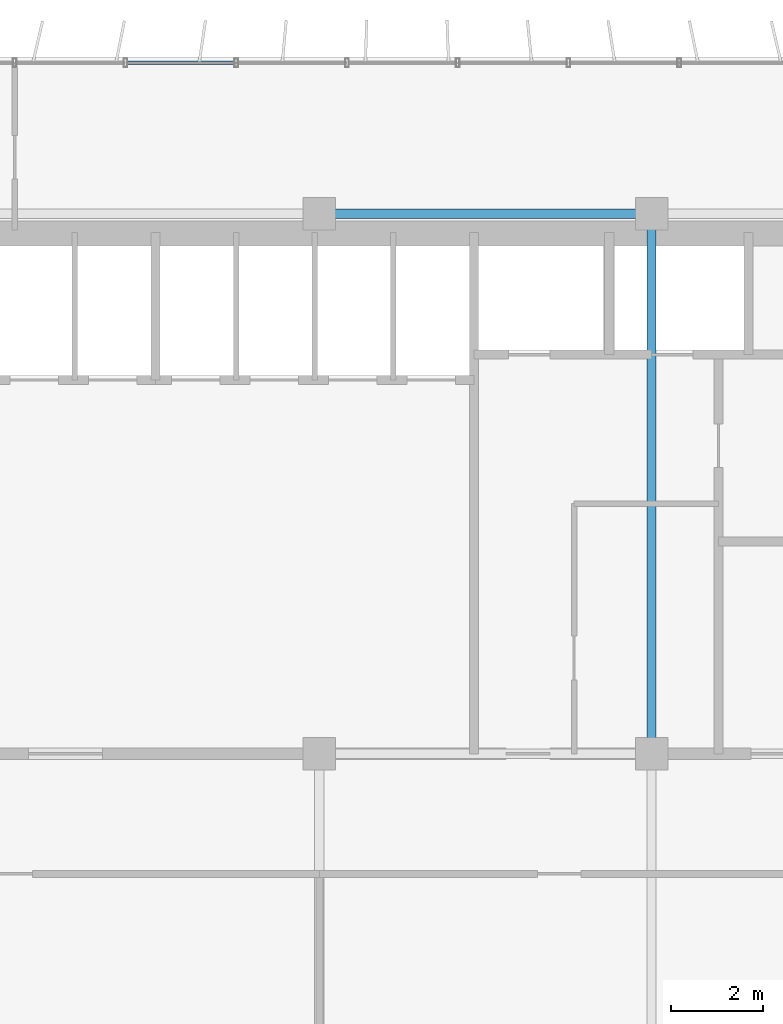
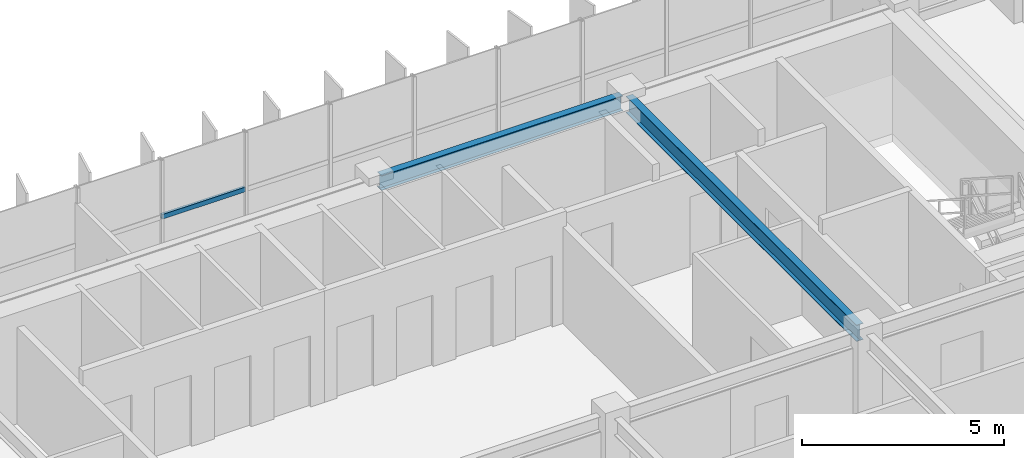
# One storey, part 9 of 19: 2 beams, 1 member, 1 element without a shape of its own.
"""IFC4 building model written with IfcOpenShell, lengths in metres."""

from ifc_helpers import new_model, si_unit, direction, frame, origin, origin_2d, place, context, subcontext, project, spatial, hollow_rectangle, i_section, extrude, source, transform, mapped, material, material_profile, profile_set, type_object, element, aggregate, save


model = new_model("IFC4")

# Units and contexts
model_context = context("Model", 3, precision=1e-05, world=origin(), true_north=direction((0.0, 1.0)))
body_context = subcontext(model_context, "Body", "Model", "MODEL_VIEW")
ifc_project = project(units=[si_unit("LENGTHUNIT", "METRE"), si_unit("AREAUNIT", "SQUARE_METRE"), si_unit("VOLUMEUNIT", "CUBIC_METRE"), si_unit("PLANEANGLEUNIT", "RADIAN"), si_unit("MASSUNIT", "GRAM", prefix="KILO")], contexts=[model_context])

# Site, building, storey
site_placement = place(None, origin())
site = spatial("IfcSite", under=ifc_project, at=site_placement, CompositionType="ELEMENT")
building_placement = place(site_placement, origin())
building = spatial("IfcBuilding", under=site, at=building_placement, Name="Trelvane Seafront Commons", CompositionType="ELEMENT")
storey_placement = place(building_placement, frame((0.0, 0.0, 215.699951171875)))
storey = spatial("IfcBuildingStorey", under=building, at=storey_placement, Name="L56", CompositionType="ELEMENT", Elevation=215.699951171875)

# Beams
ifc_material_1 = material(Name="Steel SM355 (S355)", Category="steel")
ifc_material_profile_1 = material_profile(ifc_material_1, i_section(OverallWidth=0.199951171875, OverallDepth=0.5, WebThickness=0.010009765625, FlangeThickness=0.01611328125, at=origin_2d()), Name="H-500x200x10x16")
ifc_profile_set_1 = profile_set([ifc_material_profile_1], Name="Steel SM355 (S355)")
beam_type_1 = type_object("IfcBeamType", Name="STR-BM-H500", PredefinedType="BEAM", material=ifc_profile_set_1)
shared_shape_1 = source(origin(), body_context, "Body", "SweptSolid", [
    extrude(i_section(OverallWidth=0.199951171875, OverallDepth=0.5, WebThickness=0.010009765625, FlangeThickness=0.01611328125, at=origin_2d()), origin(), (0.0, 0.0, 1.0), 11.39990234375),
])
beam_1_placement = place(storey_placement, frame((51.0, 33.550048828125, 3.110107421875), z_axis=(0.0, 1.0, 0.0), x_axis=(-1.0, 0.0, 0.0)))
element("IfcBeam", 1, at=beam_1_placement, inside=storey, type_object=beam_type_1, Name="L56 Primary Girder G-46", PredefinedType="BEAM", context=body_context, shape_type="MappedRepresentation", body=[
    mapped(shared_shape_1, transform((0.0, 0.0, 0.0), x_axis=(1.0, 0.0, 0.0), y_axis=(0.0, 1.0, 0.0), z_axis=(0.0, 0.0, 1.0), scale=1.0)),
])
ifc_material_profile_2 = material_profile(ifc_material_1, i_section(OverallWidth=0.199951171875, OverallDepth=0.449951171875, WebThickness=0.009033203125, FlangeThickness=0.013916015625, at=origin_2d()), Name="H-450x200x9x14")
ifc_profile_set_2 = profile_set([ifc_material_profile_2], Name="Steel SM355 (S355)")
beam_type_2 = type_object("IfcBeamType", Name="STR-SPD-H450", PredefinedType="SPANDREL", material=ifc_profile_set_2)
shared_shape_2 = source(origin(), body_context, "Body", "SweptSolid", [
    extrude(i_section(OverallWidth=0.199951171875, OverallDepth=0.449951171875, WebThickness=0.009033203125, FlangeThickness=0.013916015625, at=origin_2d()), origin(), (0.0, 0.0, 1.0), 6.900146484375),
])
beam_2_placement = place(storey_placement, frame((43.949951171875, 45.10009765625, 3.135009765625), z_axis=(1.0, 0.0, 0.0), x_axis=(0.0, 1.0, 0.0)))
element("IfcBeam", 2, at=beam_2_placement, inside=storey, type_object=beam_type_2, Name="L56 Primary Girder G-26", PredefinedType="SPANDREL", context=body_context, shape_type="MappedRepresentation", body=[
    mapped(shared_shape_2, transform((0.0, 0.0, 0.0), x_axis=(1.0, 0.0, 0.0), y_axis=(0.0, 1.0, 0.0), z_axis=(0.0, 0.0, 1.0), scale=1.0)),
])

# Curtain wall, member
ifc_material_2 = material(Name="Anodised pale-silver aluminium", Category="aluminium")
curtain_wall_type = type_object("IfcCurtainWallType", Name="ARCH-CW4-SKYLOBBY", PredefinedType="NOTDEFINED", material=ifc_material_2)
curtain_wall_placement = place(storey_placement, origin())
curtain_wall = element("IfcCurtainWall", 3, at=curtain_wall_placement, inside=storey, type_object=curtain_wall_type, Name="CW-L56-0099", PredefinedType="NOTDEFINED")
ifc_material_profile_3 = material_profile(ifc_material_2, hollow_rectangle(XDim=0.074951171875, YDim=0.139892578125, WallThickness=0.00390625, at=origin_2d()), Name="TRAN-75x140x4")
ifc_profile_set_3 = profile_set([ifc_material_profile_3], Name="Anodised pale-silver aluminium")
member_type = type_object("IfcMemberType", Name="ARCH-CW-TRAN-140", PredefinedType="USERDEFINED", material=ifc_profile_set_3)
shared_shape_3 = source(origin(), body_context, "Body", "SweptSolid", [
    extrude(hollow_rectangle(XDim=0.074951171875, YDim=0.139892578125, WallThickness=0.00390625, at=origin_2d()), origin(), (0.0, 0.0, 1.0), 2.3759765625),
])
member_placement = place(storey_placement, frame((39.612060546875, 48.3701171875, 1.613037109375), z_axis=(1.0, 0.0, 0.0), x_axis=(0.0, 1.0, 0.0)))
member = element("IfcMember", 4, at=member_placement, type_object=member_type, Name="CW-L56-0099-T10", ObjectType="TRANSOM", PredefinedType="USERDEFINED", context=body_context, shape_type="MappedRepresentation", body=[
    mapped(shared_shape_3, transform((0.0, 0.0, 0.0), x_axis=(1.0, 0.0, 0.0), y_axis=(0.0, 1.0, 0.0), z_axis=(0.0, 0.0, 1.0), scale=1.0)),
])
aggregate(curtain_wall, [member])

save(model, "model.ifc")
